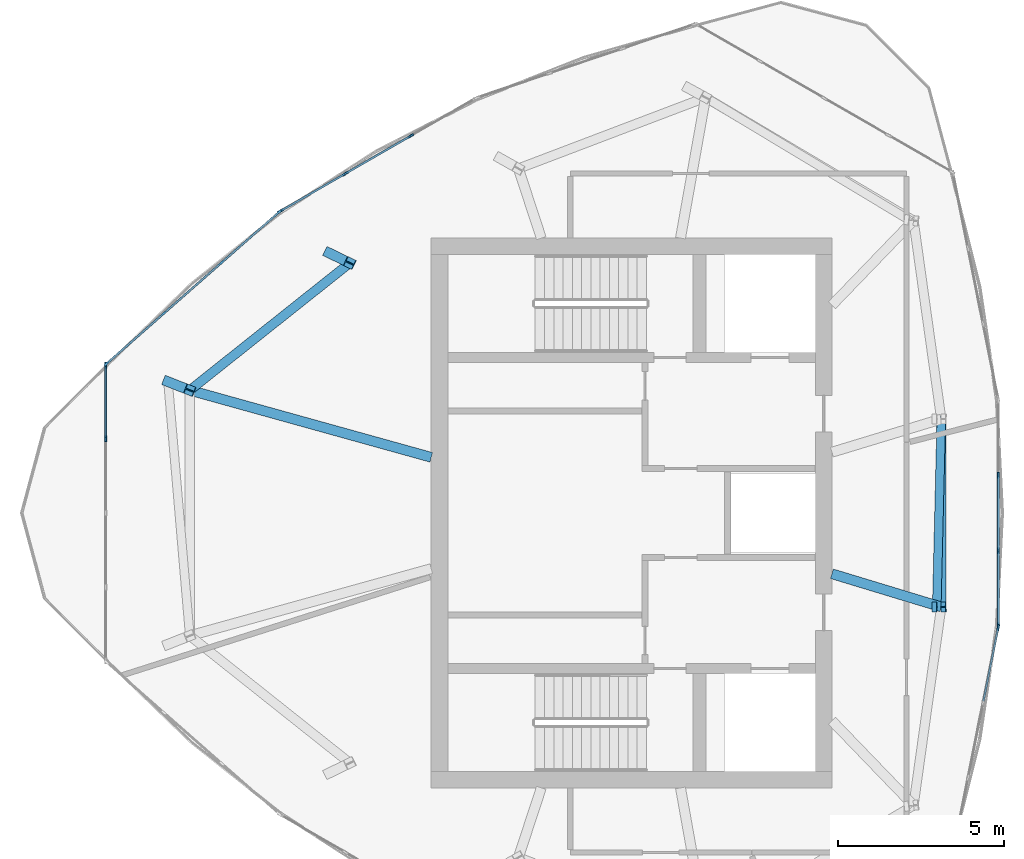
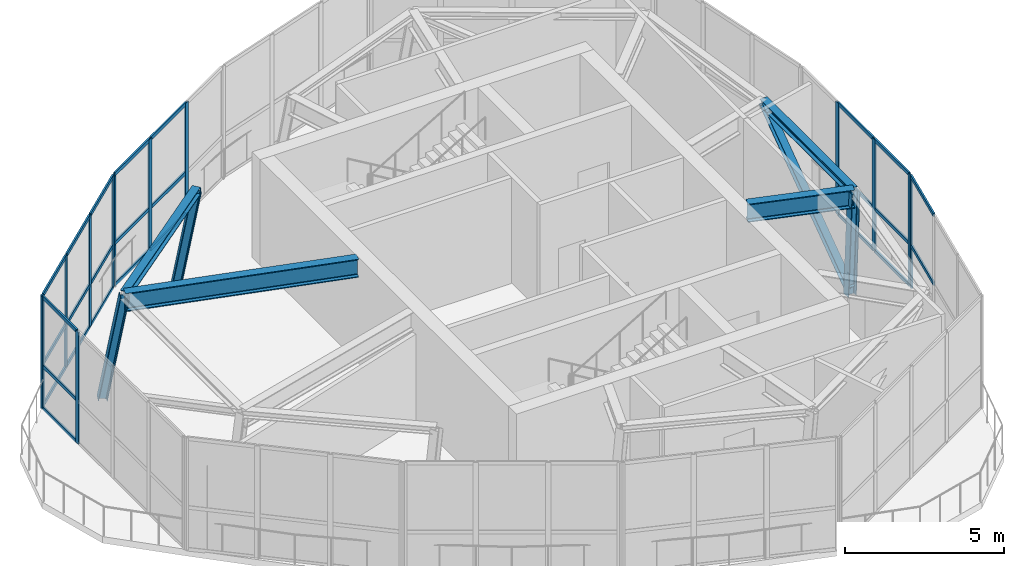
# One storey, part 3 of 11: 45 members, 2 beams, 5 elements without a shape of their own.
"""IFC4 building model written with IfcOpenShell, lengths in metres."""

from ifc_helpers import new_model, si_unit, direction, frame, origin, origin_2d, place, context, subcontext, project, spatial, rectangle, i_section, extrude, source, transform, mapped, material, layer, layer_set, material_profile, profile_set, type_object, element, aggregate, save


model = new_model("IFC4")

# Units and contexts
model_context = context("Model", 3, precision=1e-05, world=origin(), true_north=direction((0.0, 1.0)))
body_context = subcontext(model_context, "Body", "Model", "MODEL_VIEW")
ifc_project = project(units=[si_unit("LENGTHUNIT", "METRE"), si_unit("AREAUNIT", "SQUARE_METRE"), si_unit("VOLUMEUNIT", "CUBIC_METRE"), si_unit("PLANEANGLEUNIT", "RADIAN"), si_unit("MASSUNIT", "GRAM", prefix="KILO")], contexts=[model_context])

# Site, building, storey
site_placement = place(None, origin())
site = spatial("IfcSite", under=ifc_project, at=site_placement, CompositionType="ELEMENT")
building_placement = place(site_placement, origin())
building = spatial("IfcBuilding", under=site, at=building_placement, Name="Qafzar Sky-Pleat Residences", CompositionType="ELEMENT")
storey_placement = place(building_placement, frame((0.0, 0.0, 257.5)))
storey = spatial("IfcBuildingStorey", under=building, at=storey_placement, Name="L77 Crown", CompositionType="ELEMENT", Elevation=257.5)

# Members
ifc_material_1 = material(Name="Steel S460", Category="steel")
ifc_material_profile_1 = material_profile(ifc_material_1, i_section(OverallWidth=0.300048828125, OverallDepth=0.300048828125, WebThickness=0.010986328125, FlangeThickness=0.01904296875, FilletRadius=0.027099609375, at=origin_2d()), Name="HEB 300")
ifc_profile_set_1 = profile_set([ifc_material_profile_1], Name="Steel S460")
member_type_1 = type_object("IfcMemberType", Name="MEM-CROWN-RIB", PredefinedType="CHORD", material=ifc_profile_set_1)
shared_shape_1 = source(origin(), body_context, "Body", "SweptSolid", [
    extrude(i_section(OverallWidth=0.300048828125, OverallDepth=0.300048828125, WebThickness=0.010986328125, FlangeThickness=0.01904296875, FilletRadius=0.027099609375, at=origin_2d()), origin(), (0.0, 0.0, 1.0), 3.95947265625),
])
member_1_placement = place(storey_placement, frame((16.35302734375, 29.96435546875, 0.0), z_axis=(0.166048887915, -0.065174034358, 0.983961438303), x_axis=(0.365363603817, 0.930864886547, 0.0)))
element("IfcMember", 1, at=member_1_placement, inside=storey, type_object=member_type_1, Name="L77 Crown CROWN FRAME Inclined Rib 1", PredefinedType="CHORD", context=body_context, shape_type="MappedRepresentation", body=[
    mapped(shared_shape_1, transform((0.0, 0.0, 0.0), x_axis=(1.0, 0.0, 0.0), y_axis=(0.0, 1.0, 0.0), z_axis=(0.0, 0.0, 1.0), scale=1.0)),
])
shared_shape_2 = source(origin(), body_context, "Body", "SweptSolid", [
    extrude(i_section(OverallWidth=0.300048828125, OverallDepth=0.300048828125, WebThickness=0.010986328125, FlangeThickness=0.01904296875, FilletRadius=0.027099609375, at=origin_2d()), origin(), (0.0, 0.0, 1.0), 3.95703125),
])
member_2_placement = place(storey_placement, frame((21.219970703125, 33.849609375, 0.0), z_axis=(0.15727218564, -0.076322359214, 0.984601623555), x_axis=(0.436593885369, 0.899658701541, 0.0)))
element("IfcMember", 2, at=member_2_placement, inside=storey, type_object=member_type_1, Name="L77 Crown CROWN FRAME Inclined Rib 12", PredefinedType="CHORD", context=body_context, shape_type="MappedRepresentation", body=[
    mapped(shared_shape_2, transform((0.0, 0.0, 0.0), x_axis=(1.0, 0.0, 0.0), y_axis=(0.0, 1.0, 0.0), z_axis=(0.0, 0.0, 1.0), scale=1.0)),
])
shared_shape_3 = source(origin(), body_context, "Body", "SweptSolid", [
    extrude(i_section(OverallWidth=0.300048828125, OverallDepth=0.300048828125, WebThickness=0.010986328125, FlangeThickness=0.01904296875, FilletRadius=0.027099609375, at=origin_2d()), origin(), (0.0, 0.0, 1.0), 3.8984375),
])
member_3_placement = place(storey_placement, frame((39.564453125, 23.161865234375, 0.0), z_axis=(0.034945429774, 0.000250504873, 0.999389190549), x_axis=(-0.007168274606, 0.99997430759, 0.0)))
element("IfcMember", 3, at=member_3_placement, inside=storey, type_object=member_type_1, Name="L77 Crown CROWN FRAME Inclined Rib 7", PredefinedType="CHORD", context=body_context, shape_type="MappedRepresentation", body=[
    mapped(shared_shape_3, transform((0.0, 0.0, 0.0), x_axis=(1.0, 0.0, 0.0), y_axis=(0.0, 1.0, 0.0), z_axis=(0.0, 0.0, 1.0), scale=1.0)),
])
ifc_material_2 = material(Name="Steel S355", Category="steel")
ifc_material_profile_2 = material_profile(ifc_material_2, i_section(OverallWidth=0.280029296875, OverallDepth=0.280029296875, WebThickness=0.010498046875, FlangeThickness=0.01806640625, FilletRadius=0.02392578125, at=origin_2d()), Name="HEB 280")
ifc_profile_set_2 = profile_set([ifc_material_profile_2], Name="Steel S355")
member_type_2 = type_object("IfcMemberType", Name="MEM-CROWN-RING", PredefinedType="PURLIN", material=ifc_profile_set_2)
shared_shape_4 = source(origin(), body_context, "Body", "SweptSolid", [
    extrude(i_section(OverallWidth=0.280029296875, OverallDepth=0.280029296875, WebThickness=0.010498046875, FlangeThickness=0.01806640625, FilletRadius=0.02392578125, at=origin_2d()), origin(), (0.0, 0.0, 1.0), 6.172607421875),
])
member_4_placement = place(storey_placement, frame((21.84228515625, 33.547607421875, 3.906005859375), z_axis=(-0.782771382016, -0.622309379245, 0.0), x_axis=(0.622309379245, -0.782771382016, 0.0)))
element("IfcMember", 4, at=member_4_placement, inside=storey, type_object=member_type_2, Name="L77 Crown CROWN FRAME Ring Beam 12", PredefinedType="PURLIN", context=body_context, shape_type="MappedRepresentation", body=[
    mapped(shared_shape_4, transform((0.0, 0.0, 0.0), x_axis=(1.0, 0.0, 0.0), y_axis=(0.0, 1.0, 0.0), z_axis=(0.0, 0.0, 1.0), scale=1.0)),
])
shared_shape_5 = source(origin(), body_context, "Body", "SweptSolid", [
    extrude(i_section(OverallWidth=0.280029296875, OverallDepth=0.280029296875, WebThickness=0.010498046875, FlangeThickness=0.01806640625, FilletRadius=0.02392578125, at=origin_2d()), origin(), (0.0, 0.0, 1.0), 5.67431640625),
])
member_5_placement = place(storey_placement, frame((39.70068359375, 23.162841796875, 3.906005859375), z_axis=(0.0, 1.0, 0.0), x_axis=(-1.0, 0.0, 0.0)))
element("IfcMember", 5, at=member_5_placement, inside=storey, type_object=member_type_2, Name="L77 Crown CROWN FRAME Ring Beam 7", PredefinedType="PURLIN", context=body_context, shape_type="MappedRepresentation", body=[
    mapped(shared_shape_5, transform((0.0, 0.0, 0.0), x_axis=(1.0, 0.0, 0.0), y_axis=(0.0, 1.0, 0.0), z_axis=(0.0, 0.0, 1.0), scale=1.0)),
])
ifc_material_profile_3 = material_profile(ifc_material_2, i_section(OverallWidth=0.260009765625, OverallDepth=0.260009765625, WebThickness=0.010009765625, FlangeThickness=0.017578125, FilletRadius=0.02392578125, at=origin_2d()), Name="HEB 260")
ifc_profile_set_3 = profile_set([ifc_material_profile_3], Name="Steel S355")
member_type_3 = type_object("IfcMemberType", Name="MEM-CROWN-DIAG", PredefinedType="BRACE", material=ifc_profile_set_3)
shared_shape_6 = source(origin(), body_context, "Body", "SweptSolid", [
    extrude(i_section(OverallWidth=0.260009765625, OverallDepth=0.260009765625, WebThickness=0.010009765625, FlangeThickness=0.017578125, FilletRadius=0.02392578125, at=origin_2d()), origin(), (0.0, 0.0, 1.0), 6.784912109375),
])
member_6_placement = place(storey_placement, frame((39.564453125, 23.161865234375, 0.199951171875), z_axis=(0.020078091192, 0.836443204045, 0.547685709747), x_axis=(-0.99971202532, 0.023997217161, 0.0)))
element("IfcMember", 6, at=member_6_placement, inside=storey, type_object=member_type_3, Name="L77 Crown CROWN FRAME Wind Brace 7", PredefinedType="BRACE", context=body_context, shape_type="MappedRepresentation", body=[
    mapped(shared_shape_6, transform((0.0, 0.0, 0.0), x_axis=(1.0, 0.0, 0.0), y_axis=(0.0, 1.0, 0.0), z_axis=(0.0, 0.0, 1.0), scale=1.0)),
])

# Beams
ifc_material_profile_4 = material_profile(ifc_material_1, i_section(OverallWidth=0.300048828125, OverallDepth=0.699951171875, WebThickness=0.01708984375, FlangeThickness=0.031982421875, FilletRadius=0.027099609375, at=origin_2d()), Name="HEB 700")
ifc_profile_set_4 = profile_set([ifc_material_profile_4], Name="Steel S460")
beam_type = type_object("IfcBeamType", Name="BM-CHORD-HEB700", PredefinedType="BEAM", material=ifc_profile_set_4)
shared_shape_7 = source(origin(), body_context, "Body", "SweptSolid", [
    extrude(i_section(OverallWidth=0.300048828125, OverallDepth=0.699951171875, WebThickness=0.01708984375, FlangeThickness=0.031982421875, FilletRadius=0.027099609375, at=origin_2d()), origin(), (0.0, 0.0, 1.0), 7.565673828125),
])
beam_1_placement = place(storey_placement, frame((17.010498046875, 29.706298828125, 3.697998046875), z_axis=(0.963500339675, -0.267707107574, 0.0), x_axis=(0.267707107574, 0.963500339675, 0.0)))
element("IfcBeam", 7, at=beam_1_placement, inside=storey, type_object=beam_type, Name="L78 Crown Crown Rib Base Transfer Beam 1", PredefinedType="BEAM", context=body_context, shape_type="MappedRepresentation", body=[
    mapped(shared_shape_7, transform((0.0, 0.0, 0.0), x_axis=(1.0, 0.0, 0.0), y_axis=(0.0, 1.0, 0.0), z_axis=(0.0, 0.0, 1.0), scale=1.0)),
])
shared_shape_8 = source(origin(), body_context, "Body", "SweptSolid", [
    extrude(i_section(OverallWidth=0.300048828125, OverallDepth=0.699951171875, WebThickness=0.01708984375, FlangeThickness=0.031982421875, FilletRadius=0.027099609375, at=origin_2d()), origin(), (0.0, 0.0, 1.0), 3.449462890625),
])
beam_2_placement = place(storey_placement, frame((39.70068359375, 23.162841796875, 3.697998046875), z_axis=(-0.956925532783, 0.290333471559, 0.0), x_axis=(-0.290333471559, -0.956925532783, 0.0)))
element("IfcBeam", 8, at=beam_2_placement, inside=storey, type_object=beam_type, Name="L78 Crown Crown Rib Base Transfer Beam 7", PredefinedType="BEAM", context=body_context, shape_type="MappedRepresentation", body=[
    mapped(shared_shape_8, transform((0.0, 0.0, 0.0), x_axis=(1.0, 0.0, 0.0), y_axis=(0.0, 1.0, 0.0), z_axis=(0.0, 0.0, 1.0), scale=1.0)),
])

# Curtain wall, members
ifc_material_3 = material(Name="Anodised bronze aluminium framing", Category="aluminium")
ifc_layer = layer(ifc_material_3, 0.179931640625)
ifc_layer_set = layer_set([ifc_layer], Name="Anodised bronze aluminium framing")
curtain_wall_type = type_object("IfcCurtainWallType", Name="CW-SYS-06", PredefinedType="NOTDEFINED", material=ifc_layer_set)
curtain_wall_1_placement = place(storey_placement, origin())
curtain_wall_1 = element("IfcCurtainWall", 9, at=curtain_wall_1_placement, inside=storey, type_object=curtain_wall_type, Name="L77 Crown CW-06 Curtain Wall CW-CROWN-02-01", PredefinedType="NOTDEFINED")
ifc_material_4 = material(Name="Anodised bronze aluminium", Category="aluminium")
ifc_material_profile_5 = material_profile(ifc_material_4, rectangle(XDim=0.06005859375, YDim=0.179931640625, at=origin_2d()), Name="ALU MULLION 60x180")
ifc_profile_set_5 = profile_set([ifc_material_profile_5], Name="Anodised bronze aluminium")
member_type_4 = type_object("IfcMemberType", Name="CWM-06", PredefinedType="MULLION", material=ifc_profile_set_5)
shared_shape_9 = source(origin(), body_context, "Body", "SweptSolid", [
    extrude(rectangle(XDim=0.06005859375, YDim=0.179931640625, at=origin_2d()), origin(), (0.0, 0.0, 1.0), 4.300048828125),
])
member_7_placement = place(storey_placement, frame((14.474609375, 30.457275390625, 0.0), z_axis=(0.0, 0.0, 1.0), x_axis=(1.0, 0.0, 0.0)))
member_7 = element("IfcMember", 10, at=member_7_placement, type_object=member_type_4, Name="CW-06 mullion 1", PredefinedType="MULLION", context=body_context, shape_type="MappedRepresentation", body=[
    mapped(shared_shape_9, transform((0.0, 0.0, 0.0), x_axis=(1.0, 0.0, 0.0), y_axis=(0.0, 1.0, 0.0), z_axis=(0.0, 0.0, 1.0), scale=1.0)),
])
member_8_placement = place(storey_placement, frame((14.474609375, 28.24365234375, 0.0), z_axis=(0.0, 0.0, 1.0), x_axis=(1.0, 0.0, 0.0)))
member_8 = element("IfcMember", 11, at=member_8_placement, type_object=member_type_4, Name="CW-06 mullion 2", PredefinedType="MULLION", context=body_context, shape_type="MappedRepresentation", body=[
    mapped(shared_shape_9, transform((0.0, 0.0, 0.0), x_axis=(1.0, 0.0, 0.0), y_axis=(0.0, 1.0, 0.0), z_axis=(0.0, 0.0, 1.0), scale=1.0)),
])

# Curtain wall, member
curtain_wall_2_placement = place(storey_placement, origin())
curtain_wall_2 = element("IfcCurtainWall", 12, at=curtain_wall_2_placement, inside=storey, type_object=curtain_wall_type, Name="L77 Crown CW-06 Curtain Wall CW-CROWN-02-06", PredefinedType="NOTDEFINED")
member_9_placement = place(storey_placement, frame((41.417724609375, 22.543701171875, 0.0), z_axis=(0.0, 0.0, 1.0), x_axis=(-0.980578474476, 0.196127140892, 0.0)))
member_9 = element("IfcMember", 13, at=member_9_placement, type_object=member_type_4, Name="CW-06 mullion 4", PredefinedType="MULLION", context=body_context, shape_type="MappedRepresentation", body=[
    mapped(shared_shape_9, transform((0.0, 0.0, 0.0), x_axis=(1.0, 0.0, 0.0), y_axis=(0.0, 1.0, 0.0), z_axis=(0.0, 0.0, 1.0), scale=1.0)),
])

# Curtain wall, members
curtain_wall_3_placement = place(storey_placement, origin())
curtain_wall_3 = element("IfcCurtainWall", 14, at=curtain_wall_3_placement, inside=storey, type_object=curtain_wall_type, Name="L77 Crown CW-06 Curtain Wall CW-CROWN-02-07", PredefinedType="NOTDEFINED")
member_10_placement = place(storey_placement, frame((41.423583984375, 22.603271484375, 0.0), z_axis=(0.0, 0.0, 1.0), x_axis=(-1.0, 0.0, 0.0)))
member_10 = element("IfcMember", 15, at=member_10_placement, type_object=member_type_4, Name="CW-06 mullion 1", PredefinedType="MULLION", context=body_context, shape_type="MappedRepresentation", body=[
    mapped(shared_shape_9, transform((0.0, 0.0, 0.0), x_axis=(1.0, 0.0, 0.0), y_axis=(0.0, 1.0, 0.0), z_axis=(0.0, 0.0, 1.0), scale=1.0)),
])
member_11_placement = place(storey_placement, frame((41.423583984375, 24.857666015625, 0.0), z_axis=(0.0, 0.0, 1.0), x_axis=(-1.0, 0.0, 0.0)))
member_11 = element("IfcMember", 16, at=member_11_placement, type_object=member_type_4, Name="CW-06 mullion 2", PredefinedType="MULLION", context=body_context, shape_type="MappedRepresentation", body=[
    mapped(shared_shape_9, transform((0.0, 0.0, 0.0), x_axis=(1.0, 0.0, 0.0), y_axis=(0.0, 1.0, 0.0), z_axis=(0.0, 0.0, 1.0), scale=1.0)),
])
member_12_placement = place(storey_placement, frame((41.423583984375, 27.142333984375, 0.0), z_axis=(0.0, 0.0, 1.0), x_axis=(-1.0, 0.0, 0.0)))
member_12 = element("IfcMember", 17, at=member_12_placement, type_object=member_type_4, Name="CW-06 mullion 3", PredefinedType="MULLION", context=body_context, shape_type="MappedRepresentation", body=[
    mapped(shared_shape_9, transform((0.0, 0.0, 0.0), x_axis=(1.0, 0.0, 0.0), y_axis=(0.0, 1.0, 0.0), z_axis=(0.0, 0.0, 1.0), scale=1.0)),
])

curtain_wall_4_placement = place(storey_placement, origin())
curtain_wall_4 = element("IfcCurtainWall", 18, at=curtain_wall_4_placement, inside=storey, type_object=curtain_wall_type, Name="L77 Crown CW-06 Curtain Wall CW-CROWN-02-11", PredefinedType="NOTDEFINED")
member_13_placement = place(storey_placement, frame((23.681640625, 37.3857421875, 0.0), z_axis=(0.0, 0.0, 1.0), x_axis=(0.499999476069, -0.866025706276, 0.0)))
member_13 = element("IfcMember", 19, at=member_13_placement, type_object=member_type_4, Name="CW-06 mullion 2", PredefinedType="MULLION", context=body_context, shape_type="MappedRepresentation", body=[
    mapped(shared_shape_9, transform((0.0, 0.0, 0.0), x_axis=(1.0, 0.0, 0.0), y_axis=(0.0, 1.0, 0.0), z_axis=(0.0, 0.0, 1.0), scale=1.0)),
])
member_14_placement = place(storey_placement, frame((21.703125, 36.243408203125, 0.0), z_axis=(0.0, 0.0, 1.0), x_axis=(0.499999476069, -0.866025706276, 0.0)))
member_14 = element("IfcMember", 20, at=member_14_placement, type_object=member_type_4, Name="CW-06 mullion 3", PredefinedType="MULLION", context=body_context, shape_type="MappedRepresentation", body=[
    mapped(shared_shape_9, transform((0.0, 0.0, 0.0), x_axis=(1.0, 0.0, 0.0), y_axis=(0.0, 1.0, 0.0), z_axis=(0.0, 0.0, 1.0), scale=1.0)),
])
member_15_placement = place(storey_placement, frame((19.75048828125, 35.1162109375, 0.0), z_axis=(0.0, 0.0, 1.0), x_axis=(0.499999476069, -0.866025706276, 0.0)))
member_15 = element("IfcMember", 21, at=member_15_placement, type_object=member_type_4, Name="CW-06 mullion 4", PredefinedType="MULLION", context=body_context, shape_type="MappedRepresentation", body=[
    mapped(shared_shape_9, transform((0.0, 0.0, 0.0), x_axis=(1.0, 0.0, 0.0), y_axis=(0.0, 1.0, 0.0), z_axis=(0.0, 0.0, 1.0), scale=1.0)),
])

curtain_wall_5_placement = place(storey_placement, origin())
curtain_wall_5 = element("IfcCurtainWall", 22, at=curtain_wall_5_placement, inside=storey, type_object=curtain_wall_type, Name="L77 Crown CW-06 Curtain Wall CW-CROWN-02-12", PredefinedType="NOTDEFINED")
member_16_placement = place(storey_placement, frame((19.7021484375, 35.081298828125, 0.0), z_axis=(0.0, 0.0, 1.0), x_axis=(0.660128796397, -0.751152429383, 0.0)))
member_16 = element("IfcMember", 23, at=member_16_placement, type_object=member_type_4, Name="CW-06 mullion 1", PredefinedType="MULLION", context=body_context, shape_type="MappedRepresentation", body=[
    mapped(shared_shape_9, transform((0.0, 0.0, 0.0), x_axis=(1.0, 0.0, 0.0), y_axis=(0.0, 1.0, 0.0), z_axis=(0.0, 0.0, 1.0), scale=1.0)),
])
member_17_placement = place(storey_placement, frame((17.974609375, 33.563232421875, 0.0), z_axis=(0.0, 0.0, 1.0), x_axis=(0.660128796397, -0.751152429383, 0.0)))
member_17 = element("IfcMember", 24, at=member_17_placement, type_object=member_type_4, Name="CW-06 mullion 2", PredefinedType="MULLION", context=body_context, shape_type="MappedRepresentation", body=[
    mapped(shared_shape_9, transform((0.0, 0.0, 0.0), x_axis=(1.0, 0.0, 0.0), y_axis=(0.0, 1.0, 0.0), z_axis=(0.0, 0.0, 1.0), scale=1.0)),
])
member_18_placement = place(storey_placement, frame((16.224609375, 32.025146484375, 0.0), z_axis=(0.0, 0.0, 1.0), x_axis=(0.660128796397, -0.751152429383, 0.0)))
member_18 = element("IfcMember", 25, at=member_18_placement, type_object=member_type_4, Name="CW-06 mullion 3", PredefinedType="MULLION", context=body_context, shape_type="MappedRepresentation", body=[
    mapped(shared_shape_9, transform((0.0, 0.0, 0.0), x_axis=(1.0, 0.0, 0.0), y_axis=(0.0, 1.0, 0.0), z_axis=(0.0, 0.0, 1.0), scale=1.0)),
])
member_19_placement = place(storey_placement, frame((14.4970703125, 30.507080078125, 0.0), z_axis=(0.0, 0.0, 1.0), x_axis=(0.660128796397, -0.751152429383, 0.0)))
member_19 = element("IfcMember", 26, at=member_19_placement, type_object=member_type_4, Name="CW-06 mullion 4", PredefinedType="MULLION", context=body_context, shape_type="MappedRepresentation", body=[
    mapped(shared_shape_9, transform((0.0, 0.0, 0.0), x_axis=(1.0, 0.0, 0.0), y_axis=(0.0, 1.0, 0.0), z_axis=(0.0, 0.0, 1.0), scale=1.0)),
])

# Member
ifc_material_profile_6 = material_profile(ifc_material_4, rectangle(XDim=0.06005859375, YDim=0.135009765625, at=origin_2d()), Name="ALU TRANSOM 60x135")
ifc_profile_set_6 = profile_set([ifc_material_profile_6], Name="Anodised bronze aluminium")
member_type_5 = type_object("IfcMemberType", Name="CWT-06", PredefinedType="USERDEFINED", material=ifc_profile_set_6)
shared_shape_10 = source(origin(), body_context, "Body", "SweptSolid", [
    extrude(rectangle(XDim=0.06005859375, YDim=0.135009765625, at=origin_2d()), origin(), (0.0, 0.0, 1.0), 2.153564453125),
])
member_20_placement = place(storey_placement, frame((14.474609375, 30.42724609375, 0.030029296875), z_axis=(0.0, -1.0, 0.0), x_axis=(1.0, 0.0, 0.0)))
member_20 = element("IfcMember", 27, at=member_20_placement, type_object=member_type_5, Name="CW-06 transom 1.1", ObjectType="TRANSOM", PredefinedType="USERDEFINED", context=body_context, shape_type="MappedRepresentation", body=[
    mapped(shared_shape_10, transform((0.0, 0.0, 0.0), x_axis=(1.0, 0.0, 0.0), y_axis=(0.0, 1.0, 0.0), z_axis=(0.0, 0.0, 1.0), scale=1.0)),
])

member_21_placement = place(storey_placement, frame((14.474609375, 30.42724609375, 1.634033203125), z_axis=(0.0, -1.0, 0.0), x_axis=(1.0, 0.0, 0.0)))
member_21 = element("IfcMember", 28, at=member_21_placement, type_object=member_type_5, Name="CW-06 transom 1.2", ObjectType="TRANSOM", PredefinedType="USERDEFINED", context=body_context, shape_type="MappedRepresentation", body=[
    mapped(shared_shape_10, transform((0.0, 0.0, 0.0), x_axis=(1.0, 0.0, 0.0), y_axis=(0.0, 1.0, 0.0), z_axis=(0.0, 0.0, 1.0), scale=1.0)),
])

member_22_placement = place(storey_placement, frame((14.474609375, 30.42724609375, 4.27001953125), z_axis=(0.0, -1.0, 0.0), x_axis=(1.0, 0.0, 0.0)))
member_22 = element("IfcMember", 29, at=member_22_placement, type_object=member_type_5, Name="CW-06 transom 1.3", ObjectType="TRANSOM", PredefinedType="USERDEFINED", context=body_context, shape_type="MappedRepresentation", body=[
    mapped(shared_shape_10, transform((0.0, 0.0, 0.0), x_axis=(1.0, 0.0, 0.0), y_axis=(0.0, 1.0, 0.0), z_axis=(0.0, 0.0, 1.0), scale=1.0)),
])

aggregate(curtain_wall_1, [member_7, member_8, member_20, member_21, member_22])

shared_shape_11 = source(origin(), body_context, "Body", "SweptSolid", [
    extrude(rectangle(XDim=0.06005859375, YDim=0.135009765625, at=origin_2d()), origin(), (0.0, 0.0, 1.0), 2.23974609375),
])
member_23_placement = place(storey_placement, frame((40.972412109375, 20.318115234375, 1.634033203125), z_axis=(0.196095173109, 0.980584867864, 0.0), x_axis=(-0.980584867864, 0.196095173109, 0.0)))
member_23 = element("IfcMember", 30, at=member_23_placement, type_object=member_type_5, Name="CW-06 transom 3.2", ObjectType="TRANSOM", PredefinedType="USERDEFINED", context=body_context, shape_type="MappedRepresentation", body=[
    mapped(shared_shape_11, transform((0.0, 0.0, 0.0), x_axis=(1.0, 0.0, 0.0), y_axis=(0.0, 1.0, 0.0), z_axis=(0.0, 0.0, 1.0), scale=1.0)),
])

member_24_placement = place(storey_placement, frame((40.972412109375, 20.318115234375, 4.27001953125), z_axis=(0.196095173109, 0.980584867864, 0.0), x_axis=(-0.980584867864, 0.196095173109, 0.0)))
member_24 = element("IfcMember", 31, at=member_24_placement, type_object=member_type_5, Name="CW-06 transom 3.3", ObjectType="TRANSOM", PredefinedType="USERDEFINED", context=body_context, shape_type="MappedRepresentation", body=[
    mapped(shared_shape_11, transform((0.0, 0.0, 0.0), x_axis=(1.0, 0.0, 0.0), y_axis=(0.0, 1.0, 0.0), z_axis=(0.0, 0.0, 1.0), scale=1.0)),
])

aggregate(curtain_wall_2, [member_9, member_23, member_24])

member_25_placement = place(storey_placement, frame((19.679443359375, 35.0615234375, 0.030029296875), z_axis=(-0.751150157237, -0.660131381835, 0.0), x_axis=(0.660131381835, -0.751150157237, 0.0)))
member_25 = element("IfcMember", 32, at=member_25_placement, type_object=member_type_5, Name="CW-06 transom 1.1", ObjectType="TRANSOM", PredefinedType="USERDEFINED", context=body_context, shape_type="MappedRepresentation", body=[
    mapped(shared_shape_11, transform((0.0, 0.0, 0.0), x_axis=(1.0, 0.0, 0.0), y_axis=(0.0, 1.0, 0.0), z_axis=(0.0, 0.0, 1.0), scale=1.0)),
])

member_26_placement = place(storey_placement, frame((19.679443359375, 35.0615234375, 1.634033203125), z_axis=(-0.751150157237, -0.660131381835, 0.0), x_axis=(0.660131381835, -0.751150157237, 0.0)))
member_26 = element("IfcMember", 33, at=member_26_placement, type_object=member_type_5, Name="CW-06 transom 1.2", ObjectType="TRANSOM", PredefinedType="USERDEFINED", context=body_context, shape_type="MappedRepresentation", body=[
    mapped(shared_shape_11, transform((0.0, 0.0, 0.0), x_axis=(1.0, 0.0, 0.0), y_axis=(0.0, 1.0, 0.0), z_axis=(0.0, 0.0, 1.0), scale=1.0)),
])

member_27_placement = place(storey_placement, frame((19.679443359375, 35.0615234375, 4.27001953125), z_axis=(-0.751150157237, -0.660131381835, 0.0), x_axis=(0.660131381835, -0.751150157237, 0.0)))
member_27 = element("IfcMember", 34, at=member_27_placement, type_object=member_type_5, Name="CW-06 transom 1.3", ObjectType="TRANSOM", PredefinedType="USERDEFINED", context=body_context, shape_type="MappedRepresentation", body=[
    mapped(shared_shape_11, transform((0.0, 0.0, 0.0), x_axis=(1.0, 0.0, 0.0), y_axis=(0.0, 1.0, 0.0), z_axis=(0.0, 0.0, 1.0), scale=1.0)),
])

member_28_placement = place(storey_placement, frame((16.201904296875, 32.00537109375, 0.030029296875), z_axis=(-0.751150157237, -0.660131381835, 0.0), x_axis=(0.660131381835, -0.751150157237, 0.0)))
member_28 = element("IfcMember", 35, at=member_28_placement, type_object=member_type_5, Name="CW-06 transom 3.1", ObjectType="TRANSOM", PredefinedType="USERDEFINED", context=body_context, shape_type="MappedRepresentation", body=[
    mapped(shared_shape_11, transform((0.0, 0.0, 0.0), x_axis=(1.0, 0.0, 0.0), y_axis=(0.0, 1.0, 0.0), z_axis=(0.0, 0.0, 1.0), scale=1.0)),
])

member_29_placement = place(storey_placement, frame((16.201904296875, 32.00537109375, 1.634033203125), z_axis=(-0.751150157237, -0.660131381835, 0.0), x_axis=(0.660131381835, -0.751150157237, 0.0)))
member_29 = element("IfcMember", 36, at=member_29_placement, type_object=member_type_5, Name="CW-06 transom 3.2", ObjectType="TRANSOM", PredefinedType="USERDEFINED", context=body_context, shape_type="MappedRepresentation", body=[
    mapped(shared_shape_11, transform((0.0, 0.0, 0.0), x_axis=(1.0, 0.0, 0.0), y_axis=(0.0, 1.0, 0.0), z_axis=(0.0, 0.0, 1.0), scale=1.0)),
])

member_30_placement = place(storey_placement, frame((16.201904296875, 32.00537109375, 4.27001953125), z_axis=(-0.751150157237, -0.660131381835, 0.0), x_axis=(0.660131381835, -0.751150157237, 0.0)))
member_30 = element("IfcMember", 37, at=member_30_placement, type_object=member_type_5, Name="CW-06 transom 3.3", ObjectType="TRANSOM", PredefinedType="USERDEFINED", context=body_context, shape_type="MappedRepresentation", body=[
    mapped(shared_shape_11, transform((0.0, 0.0, 0.0), x_axis=(1.0, 0.0, 0.0), y_axis=(0.0, 1.0, 0.0), z_axis=(0.0, 0.0, 1.0), scale=1.0)),
])

shared_shape_12 = source(origin(), body_context, "Body", "SweptSolid", [
    extrude(rectangle(XDim=0.06005859375, YDim=0.135009765625, at=origin_2d()), origin(), (0.0, 0.0, 1.0), 2.269775390625),
])
member_31_placement = place(storey_placement, frame((17.9521484375, 33.543212890625, 0.030029296875), z_axis=(-0.751189140422, -0.660087021015, 0.0), x_axis=(0.660087021015, -0.751189140422, 0.0)))
member_31 = element("IfcMember", 38, at=member_31_placement, type_object=member_type_5, Name="CW-06 transom 2.1", ObjectType="TRANSOM", PredefinedType="USERDEFINED", context=body_context, shape_type="MappedRepresentation", body=[
    mapped(shared_shape_12, transform((0.0, 0.0, 0.0), x_axis=(1.0, 0.0, 0.0), y_axis=(0.0, 1.0, 0.0), z_axis=(0.0, 0.0, 1.0), scale=1.0)),
])

member_32_placement = place(storey_placement, frame((17.9521484375, 33.543212890625, 1.634033203125), z_axis=(-0.751189140422, -0.660087021015, 0.0), x_axis=(0.660087021015, -0.751189140422, 0.0)))
member_32 = element("IfcMember", 39, at=member_32_placement, type_object=member_type_5, Name="CW-06 transom 2.2", ObjectType="TRANSOM", PredefinedType="USERDEFINED", context=body_context, shape_type="MappedRepresentation", body=[
    mapped(shared_shape_12, transform((0.0, 0.0, 0.0), x_axis=(1.0, 0.0, 0.0), y_axis=(0.0, 1.0, 0.0), z_axis=(0.0, 0.0, 1.0), scale=1.0)),
])

member_33_placement = place(storey_placement, frame((17.9521484375, 33.543212890625, 4.27001953125), z_axis=(-0.751189140422, -0.660087021015, 0.0), x_axis=(0.660087021015, -0.751189140422, 0.0)))
member_33 = element("IfcMember", 40, at=member_33_placement, type_object=member_type_5, Name="CW-06 transom 2.3", ObjectType="TRANSOM", PredefinedType="USERDEFINED", context=body_context, shape_type="MappedRepresentation", body=[
    mapped(shared_shape_12, transform((0.0, 0.0, 0.0), x_axis=(1.0, 0.0, 0.0), y_axis=(0.0, 1.0, 0.0), z_axis=(0.0, 0.0, 1.0), scale=1.0)),
])

aggregate(curtain_wall_5, [member_16, member_17, member_18, member_19, member_25, member_26, member_27, member_31, member_32, member_33, member_28, member_29, member_30])

shared_shape_13 = source(origin(), body_context, "Body", "SweptSolid", [
    extrude(rectangle(XDim=0.06005859375, YDim=0.135009765625, at=origin_2d()), origin(), (0.0, 0.0, 1.0), 2.1943359375),
])
member_34_placement = place(storey_placement, frame((41.423583984375, 22.63330078125, 0.030029296875), z_axis=(0.0, 1.0, 0.0), x_axis=(-1.0, 0.0, 0.0)))
member_34 = element("IfcMember", 41, at=member_34_placement, type_object=member_type_5, Name="CW-06 transom 1.1", ObjectType="TRANSOM", PredefinedType="USERDEFINED", context=body_context, shape_type="MappedRepresentation", body=[
    mapped(shared_shape_13, transform((0.0, 0.0, 0.0), x_axis=(1.0, 0.0, 0.0), y_axis=(0.0, 1.0, 0.0), z_axis=(0.0, 0.0, 1.0), scale=1.0)),
])

member_35_placement = place(storey_placement, frame((41.423583984375, 22.63330078125, 1.634033203125), z_axis=(0.0, 1.0, 0.0), x_axis=(-1.0, 0.0, 0.0)))
member_35 = element("IfcMember", 42, at=member_35_placement, type_object=member_type_5, Name="CW-06 transom 1.2", ObjectType="TRANSOM", PredefinedType="USERDEFINED", context=body_context, shape_type="MappedRepresentation", body=[
    mapped(shared_shape_13, transform((0.0, 0.0, 0.0), x_axis=(1.0, 0.0, 0.0), y_axis=(0.0, 1.0, 0.0), z_axis=(0.0, 0.0, 1.0), scale=1.0)),
])

member_36_placement = place(storey_placement, frame((41.423583984375, 22.63330078125, 4.27001953125), z_axis=(0.0, 1.0, 0.0), x_axis=(-1.0, 0.0, 0.0)))
member_36 = element("IfcMember", 43, at=member_36_placement, type_object=member_type_5, Name="CW-06 transom 1.3", ObjectType="TRANSOM", PredefinedType="USERDEFINED", context=body_context, shape_type="MappedRepresentation", body=[
    mapped(shared_shape_13, transform((0.0, 0.0, 0.0), x_axis=(1.0, 0.0, 0.0), y_axis=(0.0, 1.0, 0.0), z_axis=(0.0, 0.0, 1.0), scale=1.0)),
])

member_37_placement = place(storey_placement, frame((21.677001953125, 36.228271484375, 0.030029296875), z_axis=(-0.866029956157, -0.499992114976, 0.0), x_axis=(0.499992114976, -0.866029956157, 0.0)))
member_37 = element("IfcMember", 44, at=member_37_placement, type_object=member_type_5, Name="CW-06 transom 3.1", ObjectType="TRANSOM", PredefinedType="USERDEFINED", context=body_context, shape_type="MappedRepresentation", body=[
    mapped(shared_shape_13, transform((0.0, 0.0, 0.0), x_axis=(1.0, 0.0, 0.0), y_axis=(0.0, 1.0, 0.0), z_axis=(0.0, 0.0, 1.0), scale=1.0)),
])

member_38_placement = place(storey_placement, frame((21.677001953125, 36.228271484375, 1.634033203125), z_axis=(-0.866029956157, -0.499992114976, 0.0), x_axis=(0.499992114976, -0.866029956157, 0.0)))
member_38 = element("IfcMember", 45, at=member_38_placement, type_object=member_type_5, Name="CW-06 transom 3.2", ObjectType="TRANSOM", PredefinedType="USERDEFINED", context=body_context, shape_type="MappedRepresentation", body=[
    mapped(shared_shape_13, transform((0.0, 0.0, 0.0), x_axis=(1.0, 0.0, 0.0), y_axis=(0.0, 1.0, 0.0), z_axis=(0.0, 0.0, 1.0), scale=1.0)),
])

member_39_placement = place(storey_placement, frame((21.677001953125, 36.228271484375, 4.27001953125), z_axis=(-0.866029956157, -0.499992114976, 0.0), x_axis=(0.499992114976, -0.866029956157, 0.0)))
member_39 = element("IfcMember", 46, at=member_39_placement, type_object=member_type_5, Name="CW-06 transom 3.3", ObjectType="TRANSOM", PredefinedType="USERDEFINED", context=body_context, shape_type="MappedRepresentation", body=[
    mapped(shared_shape_13, transform((0.0, 0.0, 0.0), x_axis=(1.0, 0.0, 0.0), y_axis=(0.0, 1.0, 0.0), z_axis=(0.0, 0.0, 1.0), scale=1.0)),
])

shared_shape_14 = source(origin(), body_context, "Body", "SweptSolid", [
    extrude(rectangle(XDim=0.06005859375, YDim=0.135009765625, at=origin_2d()), origin(), (0.0, 0.0, 1.0), 2.224609375),
])
member_40_placement = place(storey_placement, frame((41.423583984375, 24.8876953125, 0.030029296875), z_axis=(0.0, 1.0, 0.0), x_axis=(-1.0, 0.0, 0.0)))
member_40 = element("IfcMember", 47, at=member_40_placement, type_object=member_type_5, Name="CW-06 transom 2.1", ObjectType="TRANSOM", PredefinedType="USERDEFINED", context=body_context, shape_type="MappedRepresentation", body=[
    mapped(shared_shape_14, transform((0.0, 0.0, 0.0), x_axis=(1.0, 0.0, 0.0), y_axis=(0.0, 1.0, 0.0), z_axis=(0.0, 0.0, 1.0), scale=1.0)),
])

member_41_placement = place(storey_placement, frame((41.423583984375, 24.8876953125, 1.634033203125), z_axis=(0.0, 1.0, 0.0), x_axis=(-1.0, 0.0, 0.0)))
member_41 = element("IfcMember", 48, at=member_41_placement, type_object=member_type_5, Name="CW-06 transom 2.2", ObjectType="TRANSOM", PredefinedType="USERDEFINED", context=body_context, shape_type="MappedRepresentation", body=[
    mapped(shared_shape_14, transform((0.0, 0.0, 0.0), x_axis=(1.0, 0.0, 0.0), y_axis=(0.0, 1.0, 0.0), z_axis=(0.0, 0.0, 1.0), scale=1.0)),
])

member_42_placement = place(storey_placement, frame((41.423583984375, 24.8876953125, 4.27001953125), z_axis=(0.0, 1.0, 0.0), x_axis=(-1.0, 0.0, 0.0)))
member_42 = element("IfcMember", 49, at=member_42_placement, type_object=member_type_5, Name="CW-06 transom 2.3", ObjectType="TRANSOM", PredefinedType="USERDEFINED", context=body_context, shape_type="MappedRepresentation", body=[
    mapped(shared_shape_14, transform((0.0, 0.0, 0.0), x_axis=(1.0, 0.0, 0.0), y_axis=(0.0, 1.0, 0.0), z_axis=(0.0, 0.0, 1.0), scale=1.0)),
])

aggregate(curtain_wall_3, [member_10, member_11, member_12, member_34, member_35, member_36, member_40, member_41, member_42])

member_43_placement = place(storey_placement, frame((23.655517578125, 37.37060546875, 0.030029296875), z_axis=(-0.866019272134, -0.50001062018, 0.0), x_axis=(0.50001062018, -0.866019272134, 0.0)))
member_43 = element("IfcMember", 50, at=member_43_placement, type_object=member_type_5, Name="CW-06 transom 2.1", ObjectType="TRANSOM", PredefinedType="USERDEFINED", context=body_context, shape_type="MappedRepresentation", body=[
    mapped(shared_shape_14, transform((0.0, 0.0, 0.0), x_axis=(1.0, 0.0, 0.0), y_axis=(0.0, 1.0, 0.0), z_axis=(0.0, 0.0, 1.0), scale=1.0)),
])

member_44_placement = place(storey_placement, frame((23.655517578125, 37.37060546875, 1.634033203125), z_axis=(-0.866019272134, -0.50001062018, 0.0), x_axis=(0.50001062018, -0.866019272134, 0.0)))
member_44 = element("IfcMember", 51, at=member_44_placement, type_object=member_type_5, Name="CW-06 transom 2.2", ObjectType="TRANSOM", PredefinedType="USERDEFINED", context=body_context, shape_type="MappedRepresentation", body=[
    mapped(shared_shape_14, transform((0.0, 0.0, 0.0), x_axis=(1.0, 0.0, 0.0), y_axis=(0.0, 1.0, 0.0), z_axis=(0.0, 0.0, 1.0), scale=1.0)),
])

member_45_placement = place(storey_placement, frame((23.655517578125, 37.37060546875, 4.27001953125), z_axis=(-0.866019272134, -0.50001062018, 0.0), x_axis=(0.50001062018, -0.866019272134, 0.0)))
member_45 = element("IfcMember", 52, at=member_45_placement, type_object=member_type_5, Name="CW-06 transom 2.3", ObjectType="TRANSOM", PredefinedType="USERDEFINED", context=body_context, shape_type="MappedRepresentation", body=[
    mapped(shared_shape_14, transform((0.0, 0.0, 0.0), x_axis=(1.0, 0.0, 0.0), y_axis=(0.0, 1.0, 0.0), z_axis=(0.0, 0.0, 1.0), scale=1.0)),
])

aggregate(curtain_wall_4, [member_13, member_14, member_15, member_43, member_44, member_45, member_37, member_38, member_39])

save(model, "model.ifc")
